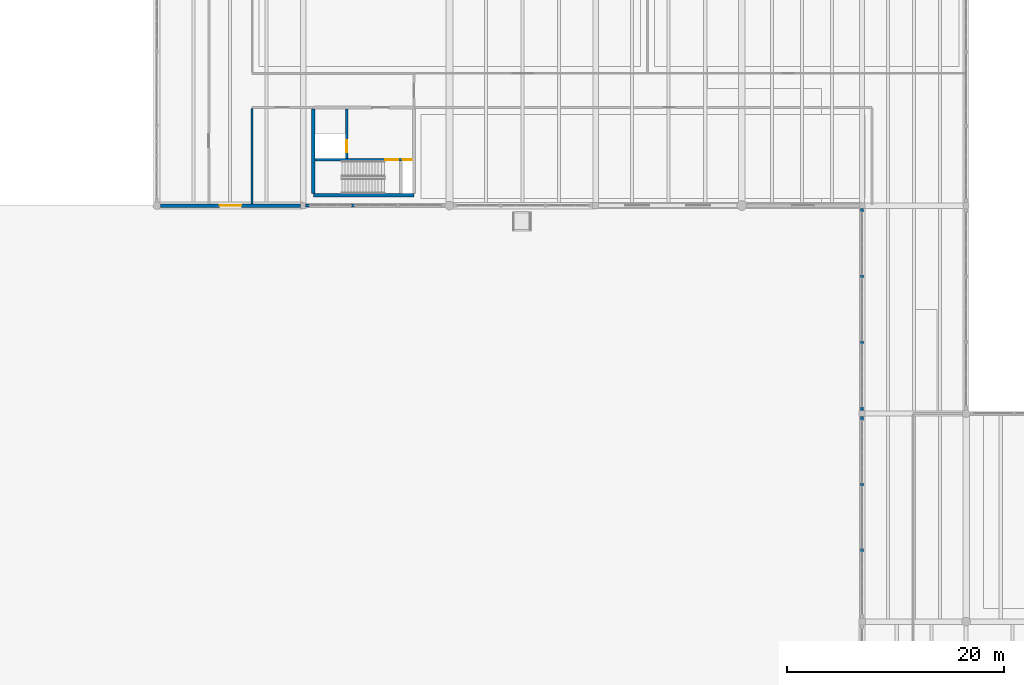
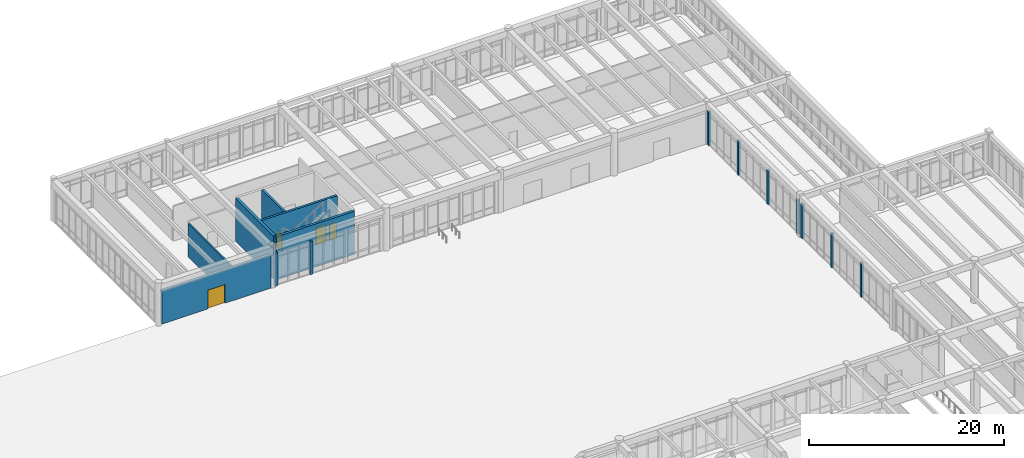
# One storey, part 113 of 138: 15 walls, 4 doors, 4 openings.
"""IFC4 building model written with IfcOpenShell, lengths in metres."""

import ifcopenshell
import ifcopenshell.guid

model = None  # the IFC model being written
_history = None  # IfcOwnerHistory: only IFC2X3 demands one
_inside = {}  # id of a spatial element -> (the spatial element, [elements in it])
_under = {}  # id of a project, library or spatial element -> (it, [spatial elements below it])
_declared = {}  # id of a project -> (the project, [libraries it declares])
_typed = {}  # id of a type object -> (the type object, [elements of that type])
_made_of = {}  # id of a material, layer set ... -> (it, [elements and type objects made of it])


def new_model(schema):
    """Start an empty IFC model of exactly this schema.

    Asked for "IFC4X3", IfcOpenShell would pick the latest addendum, in which some entities
    have other attributes; the version numbers below select the first issue.
    IFC2X3 requires an IfcOwnerHistory on every rooted entity: one is made here for all.
    """
    global model, _history
    if schema == "IFC4X3":
        model = ifcopenshell.file(schema_version=(4, 3, 0, 0))
    else:
        model = ifcopenshell.file(schema=schema)
    _inside.clear()
    _under.clear()
    _declared.clear()
    _typed.clear()
    _made_of.clear()
    _history = None
    if model.schema == "IFC2X3":
        org = make("IfcOrganization", Name="unknown")
        user = make(
            "IfcPersonAndOrganization",
            ThePerson=make("IfcPerson", FamilyName="unknown"),
            TheOrganization=org,
        )
        app = make(
            "IfcApplication",
            ApplicationDeveloper=org,
            Version="unknown",
            ApplicationFullName="unknown",
            ApplicationIdentifier="unknown",
        )
        _history = make(
            "IfcOwnerHistory",
            OwningUser=user,
            OwningApplication=app,
            ChangeAction="ADDED",
            CreationDate=0,
        )
    return model


def make(cls, **values):
    """One entity of the class cls with the attributes given. An attribute that is None is left unset."""
    return model.create_entity(
        cls, **{name: value for name, value in values.items() if value is not None}
    )


def rooted(cls, **values):
    """An entity with a GlobalId (a new one), such as an element, a storey or a relation."""
    return make(cls, GlobalId=ifcopenshell.guid.new(), OwnerHistory=_history, **values)


def si_unit(unit_type, name, prefix=None):
    """IfcSIUnit, for example si_unit("LENGTHUNIT", "METRE", prefix="MILLI")."""
    return make("IfcSIUnit", UnitType=unit_type, Prefix=prefix, Name=name)


def assignment(units):
    """IfcUnitAssignment: the units of a project."""
    return None if units is None else make("IfcUnitAssignment", Units=units)


def point(xyz):
    """IfcCartesianPoint."""
    return None if xyz is None else make("IfcCartesianPoint", Coordinates=xyz)


def direction(xyz):
    """IfcDirection."""
    return None if xyz is None else make("IfcDirection", DirectionRatios=xyz)


def frame(location, z_axis=None, x_axis=None):
    """IfcAxis2Placement3D, a coordinate frame: its origin and axes. An axis left out is left unset."""
    return make(
        "IfcAxis2Placement3D",
        Location=point(location),
        Axis=direction(z_axis),
        RefDirection=direction(x_axis),
    )


def frame_2d(location, x_axis=None):
    """IfcAxis2Placement2D, a coordinate frame in the plane: its origin and x axis."""
    return make(
        "IfcAxis2Placement2D", Location=point(location), RefDirection=direction(x_axis)
    )


def origin():
    """The frame at (0, 0, 0) with its axes left unset."""
    return frame((0.0, 0.0, 0.0))


def place(relative_to, where):
    """IfcLocalPlacement: puts the frame where relative to a parent placement (None: the world)."""
    return make(
        "IfcLocalPlacement", PlacementRelTo=relative_to, RelativePlacement=where
    )


def context(
    kind, dimensions, precision=None, world=None, true_north=None, identifier=None
):
    """IfcGeometricRepresentationContext, for example the 3D "Model" context."""
    return make(
        "IfcGeometricRepresentationContext",
        ContextIdentifier=identifier,
        ContextType=kind,
        CoordinateSpaceDimension=dimensions,
        Precision=precision,
        WorldCoordinateSystem=world,
        TrueNorth=true_north,
    )


def subcontext(parent, identifier, kind, view, scale=None):
    """IfcGeometricRepresentationSubContext, for example "Body" below "Model"."""
    return make(
        "IfcGeometricRepresentationSubContext",
        ContextIdentifier=identifier,
        ContextType=kind,
        ParentContext=parent,
        TargetScale=scale,
        TargetView=view,
    )


def project(units=None, contexts=None):
    """IfcProject with its units and contexts."""
    return rooted(
        "IfcProject",
        Name="project",
        RepresentationContexts=contexts,
        UnitsInContext=assignment(units),
    )


def spatial(cls, under=None, at=None, **own):
    """A site, building, storey or space (cls), placed at a placement, below another one or the project."""
    s = rooted(cls, ObjectPlacement=at, **own)
    if under is not None:
        _under.setdefault(under.id(), (under, []))[1].append(s)
    return s


def profile(cls, at=None, kind="AREA", **sizes):
    """A parametric profile (cls). Its sizes go by their IFC names, for example OverallWidth=200.0."""
    return make(cls, ProfileType=kind, Position=at, **sizes)


def rectangle(**sizes):
    """IfcRectangleProfileDef."""
    return profile("IfcRectangleProfileDef", **sizes)


def extrude(swept, where, along, depth):
    """IfcExtrudedAreaSolid: the profile swept, set in the frame where, extruded along a direction by depth."""
    return make(
        "IfcExtrudedAreaSolid",
        SweptArea=swept,
        Position=where,
        ExtrudedDirection=direction(along),
        Depth=depth,
    )


def shape(context_of_items, identifier, shape_type, items):
    """IfcShapeRepresentation: the items that make up one representation, for example the "Body"."""
    return make(
        "IfcShapeRepresentation",
        ContextOfItems=context_of_items,
        RepresentationIdentifier=identifier,
        RepresentationType=shape_type,
        Items=items,
    )


def material(Name=None, Category=None):
    """IfcMaterial."""
    return make("IfcMaterial", Name=Name, Category=Category)


def layer(
    of_material, thickness, ventilated=None, Name=None, Category=None, Priority=None
):
    """IfcMaterialLayer: one layer of a wall or slab, of a material (None: an air gap)."""
    return make(
        "IfcMaterialLayer",
        Material=of_material,
        LayerThickness=thickness,
        IsVentilated=ventilated,
        Name=Name,
        Category=Category,
        Priority=Priority,
    )


def layer_set(layers, Name=None):
    """IfcMaterialLayerSet."""
    return make("IfcMaterialLayerSet", MaterialLayers=layers, LayerSetName=Name)


def made_of(thing, what):
    """Note that an element or type object is made of a material, layer set ...; save() writes the relation."""
    if what is not None:
        _made_of.setdefault(what.id(), (what, []))[1].append(thing)
    return thing


def type_object(cls, material=None, **own):
    """A type object (cls), such as IfcWallType, which elements share."""
    return made_of(rooted(cls, **own), material)


def element(
    cls,
    number,
    at=None,
    inside=None,
    cuts=None,
    type_object=None,
    material=None,
    context=None,
    identifier="Body",
    shape_type=None,
    held_by="IfcProductDefinitionShape",
    body=None,
    shapes=None,
    **own,
):
    """One element of the class cls, such as IfcWall. Its Tag is "e" and its number.

    at: its placement. inside: the storey or other place that contains it. cuts: it is an
    opening in that element (IfcRelVoidsElement). A single representation is given by context,
    identifier, shape_type and body (its items); several are given by shapes. held_by: the class
    of the entity that holds the representations. save() writes the other relations.
    """
    e = rooted(cls, Tag="e%d" % number, ObjectPlacement=at, **own)
    if body is not None:
        shapes = [shape(context, identifier, shape_type, body)]
    if shapes is not None:
        e.Representation = make(held_by, Representations=shapes)
    if inside is not None:
        _inside.setdefault(inside.id(), (inside, []))[1].append(e)
    if cuts is not None:
        rooted(
            "IfcRelVoidsElement", RelatingBuildingElement=cuts, RelatedOpeningElement=e
        )
    if type_object is not None:
        _typed.setdefault(type_object.id(), (type_object, []))[1].append(e)
    return made_of(e, material)


def fill(opening, filler):
    """IfcRelFillsElement: the door or window that sits in an opening."""
    return rooted(
        "IfcRelFillsElement",
        RelatingOpeningElement=opening,
        RelatedBuildingElement=filler,
    )


def aggregate(whole, parts):
    """IfcRelAggregates: a whole, such as a stair, and the parts it consists of."""
    return rooted("IfcRelAggregates", RelatingObject=whole, RelatedObjects=parts)


def save(model, path):
    """Write the relations noted so far, then the file.

    IfcRelAggregates (storeys below a building ...), IfcRelContainedInSpatialStructure (elements
    in a storey), IfcRelDefinesByType, IfcRelAssociatesMaterial and IfcRelDeclares: one each for
    every whole, place, type object, material and project.
    """
    for whole, parts in _under.values():
        aggregate(whole, parts)
    for where, things in _inside.values():
        rooted(
            "IfcRelContainedInSpatialStructure",
            RelatedElements=things,
            RelatingStructure=where,
        )
    for kind, things in _typed.values():
        rooted("IfcRelDefinesByType", RelatedObjects=things, RelatingType=kind)
    for what, things in _made_of.values():
        rooted("IfcRelAssociatesMaterial", RelatedObjects=things, RelatingMaterial=what)
    for by, libraries in _declared.values():
        rooted("IfcRelDeclares", RelatingContext=by, RelatedDefinitions=libraries)
    model.write(path)


model = new_model("IFC4")

# Units and contexts
model_context = context("Model", 3, precision=1e-05, world=origin(), true_north=direction((0.0, 1.0)))
body_context = subcontext(model_context, "Body", "Model", "MODEL_VIEW")
ifc_project = project(units=[si_unit("LENGTHUNIT", "METRE"), si_unit("AREAUNIT", "SQUARE_METRE"), si_unit("VOLUMEUNIT", "CUBIC_METRE"), si_unit("PLANEANGLEUNIT", "RADIAN"), si_unit("MASSUNIT", "GRAM", prefix="KILO")], contexts=[model_context])

# Site, building, storey
site_placement = place(None, origin())
site = spatial("IfcSite", under=ifc_project, at=site_placement, CompositionType="ELEMENT")
building_placement = place(site_placement, origin())
building = spatial("IfcBuilding", under=site, at=building_placement, Name="Fikremerkos Civic Library", CompositionType="ELEMENT")
storey_placement = place(building_placement, origin())
storey = spatial("IfcBuildingStorey", under=building, at=storey_placement, Name="L00", CompositionType="ELEMENT", Elevation=0.0)

# Walls
ifc_material_1 = material(Name="Concrete C40/50", Category="concrete")
ifc_layer_1 = layer(ifc_material_1, 0.300048828125, Name="Concrete C40/50")
ifc_layer_set_1 = layer_set([ifc_layer_1], Name="Concrete C40/50")
wall_type_1 = type_object("IfcWallType", Name="Core shear wall CSW-01 300", PredefinedType="SHEAR", material=ifc_layer_set_1)
wall_1_placement = place(storey_placement, frame((83.449951171875, 96.949951171875, 0.0), z_axis=(0.0, 0.0, 1.0), x_axis=(-1.0, 0.0, 0.0)))
element("IfcWall", 1, at=wall_1_placement, inside=storey, type_object=wall_type_1, Name="Core K5 south shear wall L00", PredefinedType="SHEAR", context=body_context, shape_type="SweptSolid", body=[
    extrude(rectangle(XDim=9.300048828125, YDim=0.300048828125, at=frame_2d((4.64990234375, 0.0))), origin(), (0.0, 0.0, 1.0), 5.39990234375),
])
wall_2_placement = place(storey_placement, frame((74.14990234375, 97.10205078125, 0.0), z_axis=(0.0, 0.0, 1.0), x_axis=(0.0, 1.0, 0.0)))
element("IfcWall", 2, at=wall_2_placement, inside=storey, type_object=wall_type_1, Name="Core K5 west shear wall L00", PredefinedType="SHEAR", context=body_context, shape_type="SweptSolid", body=[
    extrude(rectangle(XDim=7.7958984375, YDim=0.300048828125, at=frame_2d((3.89794921875, 0.0))), origin(), (0.0, 0.0, 1.0), 5.39990234375),
])

# Wall, openings, doors
ifc_layer_2 = layer(ifc_material_1, 0.260009765625, Name="Concrete C40/50")
ifc_layer_set_2 = layer_set([ifc_layer_2], Name="Concrete C40/50")
wall_type_2 = type_object("IfcWallType", Name="Core shear wall CSW-02 260", PredefinedType="SHEAR", material=ifc_layer_set_2)
wall_3_placement = place(storey_placement, frame((74.302001953125, 100.22998046875, 0.0), z_axis=(0.0, 0.0, 1.0), x_axis=(1.0, 0.0, 0.0)))
wall_3 = element("IfcWall", 3, at=wall_3_placement, inside=storey, type_object=wall_type_2, Name="Core K5 stair compartment wall L00", PredefinedType="SHEAR", context=body_context, shape_type="SweptSolid", body=[
    extrude(rectangle(XDim=8.99609375, YDim=0.260009765625, at=frame_2d((4.498046875, 0.0))), origin(), (0.0, 0.0, 1.0), 5.39990234375),
])
opening_1_placement = place(wall_3_placement, frame((6.498046875, 0.0, 0.0)))
opening_1 = element("IfcOpeningElement", 4, at=opening_1_placement, cuts=wall_3, Name="Opening D123", PredefinedType="OPENING", context=body_context, shape_type="SweptSolid", body=[
    extrude(rectangle(XDim=1.199951171875, YDim=2.199951171875, at=frame_2d((0.60009765625, 1.10009765625))), frame((0.0, 0.139892578125, 0.0), z_axis=(0.0, -1.0, 0.0), x_axis=(1.0, 0.0, 0.0)), (0.0, 0.0, 1.0), 0.280029296875),
])
opening_2_placement = place(wall_3_placement, frame((8.10302734375, 0.0, 0.0)))
opening_2 = element("IfcOpeningElement", 5, at=opening_2_placement, cuts=wall_3, Name="Opening D124", PredefinedType="OPENING", context=body_context, shape_type="SweptSolid", body=[
    extrude(rectangle(XDim=0.85009765625, YDim=2.050048828125, at=frame_2d((0.425048828125, 1.02490234375))), frame((0.0, 0.139892578125, 0.0), z_axis=(0.0, -1.0, 0.0), x_axis=(1.0, 0.0, 0.0)), (0.0, 0.0, 1.0), 0.280029296875),
])
ifc_material_2 = material(Name="Hardwood timber and acoustic glass", Category="wood")
door_type_1 = type_object("IfcDoorType", Name="Pedestrian door DT-06 1200x2200", OperationType="NOTDEFINED", PredefinedType="DOOR", material=ifc_material_2)
door_1_placement = place(opening_1_placement, origin())
door_1 = element("IfcDoor", 6, at=door_1_placement, inside=storey, type_object=door_type_1, Name="Core K5 stair fire door D123 L00", OperationType="SINGLE_SWING_RIGHT", OverallHeight=2.199951171875, OverallWidth=1.199951171875, PredefinedType="DOOR", context=body_context, shape_type="SweptSolid", body=[
    extrude(rectangle(XDim=1.199951171875, YDim=2.199951171875, at=frame_2d((0.60009765625, 1.10009765625))), frame((0.0, 0.032470703125, 0.0), z_axis=(0.0, -1.0, 0.0), x_axis=(1.0, 0.0, 0.0)), (0.0, 0.0, 1.0), 0.06494140625),
])
fill(opening_1, door_1)
door_type_2 = type_object("IfcDoorType", Name="Pedestrian door DT-08 850x2050", OperationType="NOTDEFINED", PredefinedType="DOOR", material=ifc_material_2)
door_2_placement = place(opening_2_placement, origin())
door_2 = element("IfcDoor", 7, at=door_2_placement, inside=storey, type_object=door_type_2, Name="Core K5 riser access fire door D124 L00", OperationType="SINGLE_SWING_LEFT", OverallHeight=2.050048828125, OverallWidth=0.85009765625, PredefinedType="DOOR", context=body_context, shape_type="SweptSolid", body=[
    extrude(rectangle(XDim=0.85009765625, YDim=2.050048828125, at=frame_2d((0.425048828125, 1.02490234375))), frame((0.0, 0.032470703125, 0.0), z_axis=(0.0, -1.0, 0.0), x_axis=(1.0, 0.0, 0.0)), (0.0, 0.0, 1.0), 0.06494140625),
])
fill(opening_2, door_2)

# Wall, opening, door
wall_4_placement = place(storey_placement, frame((77.22998046875, 100.362060546875, 0.0), z_axis=(0.0, 0.0, 1.0), x_axis=(0.0, 1.0, 0.0)))
wall_4 = element("IfcWall", 8, at=wall_4_placement, inside=storey, type_object=wall_type_2, Name="Core K5 lift shaft front wall L00", PredefinedType="SHEAR", context=body_context, shape_type="SweptSolid", body=[
    extrude(rectangle(XDim=4.535888671875, YDim=0.260009765625, at=frame_2d((2.26806640625, 0.0))), origin(), (0.0, 0.0, 1.0), 5.39990234375),
])
opening_3_placement = place(wall_4_placement, frame((0.568115234375, 0.0, 0.0)))
opening_3 = element("IfcOpeningElement", 9, at=opening_3_placement, cuts=wall_4, Name="Opening LD56", PredefinedType="OPENING", context=body_context, shape_type="SweptSolid", body=[
    extrude(rectangle(XDim=1.10009765625, YDim=2.14990234375, at=frame_2d((0.550048828125, 1.074951171875))), frame((0.0, 0.139892578125, 0.0), z_axis=(0.0, -1.0, 0.0), x_axis=(1.0, 0.0, 0.0)), (0.0, 0.0, 1.0), 0.280029296875),
])
ifc_material_3 = material(Name="Brushed stainless steel", Category="steel")
door_type_3 = type_object("IfcDoorType", Name="Lift landing door LDT-01 1100x2150", OperationType="NOTDEFINED", PredefinedType="DOOR", material=ifc_material_3)
door_3_placement = place(opening_3_placement, origin())
door_3 = element("IfcDoor", 10, at=door_3_placement, inside=storey, type_object=door_type_3, Name="Lift LF08 sliding landing door LD56 L00", OperationType="SLIDING_TO_LEFT", OverallHeight=2.14990234375, OverallWidth=1.10009765625, PredefinedType="DOOR", context=body_context, shape_type="SweptSolid", body=[
    extrude(rectangle(XDim=1.10009765625, YDim=2.14990234375, at=frame_2d((0.550048828125, 1.074951171875))), frame((0.0, 0.032470703125, 0.0), z_axis=(0.0, -1.0, 0.0), x_axis=(1.0, 0.0, 0.0)), (0.0, 0.0, 1.0), 0.06494140625),
])
fill(opening_3, door_3)

ifc_material_4 = material(Name="Precast concrete C40/50", Category="concrete")
ifc_layer_3 = layer(ifc_material_4, 0.320068359375, Name="Precast concrete C40/50")
ifc_layer_set_3 = layer_set([ifc_layer_3], Name="Precast concrete C40/50")
wall_type_3 = type_object("IfcWallType", Name="Exterior solid wall ESW-02 320", PredefinedType="SOLIDWALL", material=ifc_layer_set_3)
wall_5_placement = place(storey_placement, frame((72.951904296875, 96.0, 0.0), z_axis=(0.0, 0.0, 1.0), x_axis=(-1.0, 0.0, 0.0)))
wall_5 = element("IfcWall", 11, at=wall_5_placement, inside=storey, type_object=wall_type_3, Name="Exterior ground wall ESW-02 #255", PredefinedType="SOLIDWALL", context=body_context, shape_type="SweptSolid", body=[
    extrude(rectangle(XDim=12.90380859375, YDim=0.320068359375, at=frame_2d((6.451904296875, 0.0))), origin(), (0.0, 0.0, 1.0), 4.169921875),
])
opening_4_placement = place(wall_5_placement, frame((5.451904296875, 0.0, 0.0)))
opening_4 = element("IfcOpeningElement", 12, at=opening_4_placement, cuts=wall_5, Name="Opening D020", PredefinedType="OPENING", context=body_context, shape_type="SweptSolid", body=[
    extrude(rectangle(XDim=2.0, YDim=2.35009765625, at=frame_2d((1.0, 1.175048828125))), frame((0.0, 0.169921875, 0.0), z_axis=(0.0, -1.0, 0.0), x_axis=(1.0, 0.0, 0.0)), (0.0, 0.0, 1.0), 0.340087890625),
])
ifc_material_5 = material(Name="Thermally broken bronze aluminium and glass", Category="aluminium")
door_type_4 = type_object("IfcDoorType", Name="Pedestrian door DT-11 2000x2350", OperationType="NOTDEFINED", PredefinedType="DOOR", material=ifc_material_5)
door_4_placement = place(opening_4_placement, origin())
door_4 = element("IfcDoor", 13, at=door_4_placement, inside=storey, type_object=door_type_4, Name="Core K5 final exit discharge door D020", OperationType="SINGLE_SWING_LEFT", OverallHeight=2.35009765625, OverallWidth=2.0, PredefinedType="DOOR", context=body_context, shape_type="SweptSolid", body=[
    extrude(rectangle(XDim=2.0, YDim=2.35009765625, at=frame_2d((1.0, 1.175048828125))), frame((0.0, 0.032470703125, 0.0), z_axis=(0.0, -1.0, 0.0), x_axis=(1.0, 0.0, 0.0)), (0.0, 0.0, 1.0), 0.06494140625),
])
fill(opening_4, door_4)

# Walls
ifc_layer_4 = layer(ifc_material_4, 0.25, Name="Precast concrete C40/50")
ifc_layer_set_4 = layer_set([ifc_layer_4], Name="Precast concrete C40/50")
wall_type_4 = type_object("IfcWallType", Name="Exterior solid wall ESW-05 250", PredefinedType="SOLIDWALL", material=ifc_layer_set_4)
wall_6_placement = place(storey_placement, frame((124.800048828125, 76.177001953125, 0.0), z_axis=(0.0, 0.0, 1.0), x_axis=(0.0, 1.0, 0.0)))
element("IfcWall", 14, at=wall_6_placement, inside=storey, type_object=wall_type_4, Name="Exterior facade pier ESW-05 #238", PredefinedType="SOLIDWALL", context=body_context, shape_type="SweptSolid", body=[
    extrude(rectangle(XDim=0.35009765625, YDim=0.25, at=frame_2d((0.175048828125, 0.0))), origin(), (0.0, 0.0, 1.0), 4.300048828125),
])
wall_7_placement = place(storey_placement, frame((124.800048828125, 64.0244140625, 0.0), z_axis=(0.0, 0.0, 1.0), x_axis=(0.0, 1.0, 0.0)))
element("IfcWall", 15, at=wall_7_placement, inside=storey, type_object=wall_type_4, Name="Exterior facade mullion pier ESW-05 #239", PredefinedType="SOLIDWALL", context=body_context, shape_type="SweptSolid", body=[
    extrude(rectangle(XDim=0.2998046875, YDim=0.25, at=frame_2d((0.14990234375, 0.0))), origin(), (0.0, 0.0, 1.0), 4.300048828125),
])
wall_8_placement = place(storey_placement, frame((124.800048828125, 70.1005859375, 0.0), z_axis=(0.0, 0.0, 1.0), x_axis=(0.0, 1.0, 0.0)))
element("IfcWall", 16, at=wall_8_placement, inside=storey, type_object=wall_type_4, Name="Exterior facade mullion pier ESW-05 #240", PredefinedType="SOLIDWALL", context=body_context, shape_type="SweptSolid", body=[
    extrude(rectangle(XDim=0.300048828125, YDim=0.25, at=frame_2d((0.14990234375, 0.0))), origin(), (0.0, 0.0, 1.0), 4.300048828125),
])
wall_9_placement = place(storey_placement, frame((124.800048828125, 77.072998046875, 0.0), z_axis=(0.0, 0.0, 1.0), x_axis=(0.0, 1.0, 0.0)))
element("IfcWall", 17, at=wall_9_placement, inside=storey, type_object=wall_type_4, Name="Exterior facade pier ESW-05 #241", PredefinedType="SOLIDWALL", context=body_context, shape_type="SweptSolid", body=[
    extrude(rectangle(XDim=0.35009765625, YDim=0.25, at=frame_2d((0.175048828125, 0.0))), origin(), (0.0, 0.0, 1.0), 4.280029296875),
])
wall_10_placement = place(storey_placement, frame((124.800048828125, 95.402099609375, 0.0), z_axis=(0.0, 0.0, 1.0), x_axis=(0.0, 1.0, 0.0)))
element("IfcWall", 18, at=wall_10_placement, inside=storey, type_object=wall_type_4, Name="Exterior facade pier ESW-05 #242", PredefinedType="SOLIDWALL", context=body_context, shape_type="SweptSolid", body=[
    extrude(rectangle(XDim=0.349853515625, YDim=0.25, at=frame_2d((0.1748046875, 0.0))), origin(), (0.0, 0.0, 1.0), 4.280029296875),
])
wall_11_placement = place(storey_placement, frame((124.800048828125, 83.216064453125, 0.0), z_axis=(0.0, 0.0, 1.0), x_axis=(0.0, 1.0, 0.0)))
element("IfcWall", 19, at=wall_11_placement, inside=storey, type_object=wall_type_4, Name="Exterior facade mullion pier ESW-05 #243", PredefinedType="SOLIDWALL", context=body_context, shape_type="SweptSolid", body=[
    extrude(rectangle(XDim=0.300048828125, YDim=0.25, at=frame_2d((0.14990234375, 0.0))), origin(), (0.0, 0.0, 1.0), 4.280029296875),
])
wall_12_placement = place(storey_placement, frame((124.800048828125, 89.30908203125, 0.0), z_axis=(0.0, 0.0, 1.0), x_axis=(0.0, 1.0, 0.0)))
element("IfcWall", 20, at=wall_12_placement, inside=storey, type_object=wall_type_4, Name="Exterior facade mullion pier ESW-05 #244", PredefinedType="SOLIDWALL", context=body_context, shape_type="SweptSolid", body=[
    extrude(rectangle(XDim=0.2998046875, YDim=0.25, at=frame_2d((0.14990234375, 0.0))), origin(), (0.0, 0.0, 1.0), 4.280029296875),
])
wall_13_placement = place(storey_placement, frame((73.798095703125, 96.0, 0.0), z_axis=(0.0, 0.0, 1.0), x_axis=(-1.0, 0.0, 0.0)))
element("IfcWall", 21, at=wall_13_placement, inside=storey, type_object=wall_type_4, Name="Exterior facade pier ESW-05 #252", PredefinedType="SOLIDWALL", context=body_context, shape_type="SweptSolid", body=[
    extrude(rectangle(XDim=0.35009765625, YDim=0.25, at=frame_2d((0.175048828125, 0.0))), origin(), (0.0, 0.0, 1.0), 4.1298828125),
])
wall_14_placement = place(storey_placement, frame((77.94921875, 96.0, 0.0), z_axis=(0.0, 0.0, 1.0), x_axis=(-1.0, 0.0, 0.0)))
element("IfcWall", 22, at=wall_14_placement, inside=storey, type_object=wall_type_4, Name="Exterior facade mullion pier ESW-05 #254", PredefinedType="SOLIDWALL", context=body_context, shape_type="SweptSolid", body=[
    extrude(rectangle(XDim=0.2998046875, YDim=0.25, at=frame_2d((0.14990234375, 0.0))), origin(), (0.0, 0.0, 1.0), 4.1298828125),
])
ifc_material_6 = material(Name="Acoustic concrete blockwork", Category="masonry")
ifc_layer_5 = layer(ifc_material_6, 0.18994140625, Name="Acoustic concrete blockwork")
ifc_layer_set_5 = layer_set([ifc_layer_5], Name="Acoustic concrete blockwork")
wall_type_5 = type_object("IfcWallType", Name="Interior partition wall IPW-01 190", PredefinedType="PARTITIONING", material=ifc_layer_set_5)
wall_15_placement = place(storey_placement, frame((68.5, 96.1630859375, 0.0), z_axis=(0.0, 0.0, 1.0), x_axis=(0.0, 1.0, 0.0)))
element("IfcWall", 23, at=wall_15_placement, inside=storey, type_object=wall_type_5, Name="Interior wall IPW-01 L00 #92", PredefinedType="PARTITIONING", context=body_context, shape_type="SweptSolid", body=[
    extrude(rectangle(XDim=8.781982421875, YDim=0.18994140625, at=frame_2d((4.39111328125, 0.0))), origin(), (0.0, 0.0, 1.0), 4.169921875),
])

save(model, "model.ifc")
